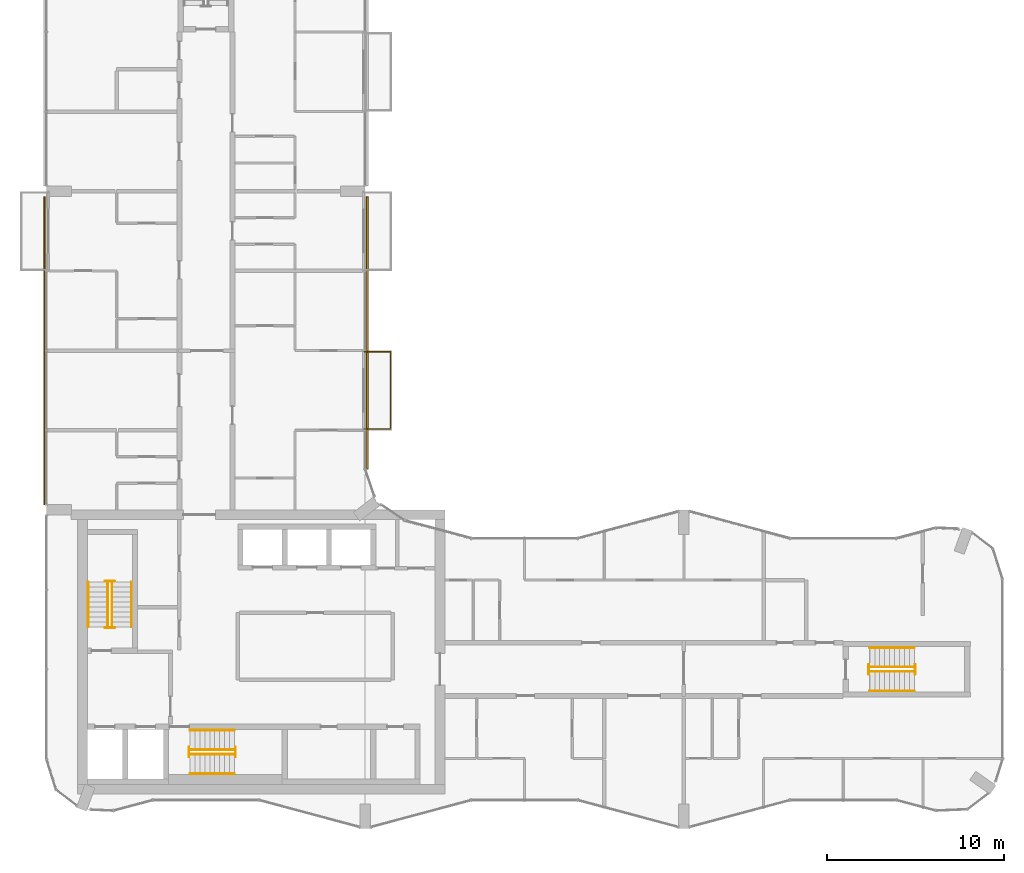
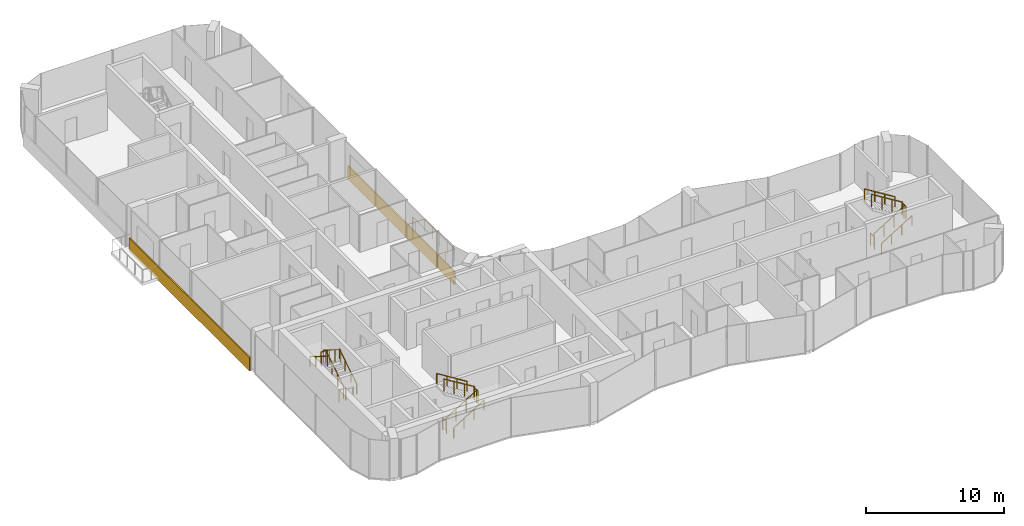
# One storey, part 14 of 15: 19 railings, 2 coverings.
"""IFC4 building model written with IfcOpenShell, lengths in metres."""

from ifc_helpers import new_model, si_unit, direction, frame, origin, origin_2d, place, context, subcontext, project, spatial, rectangle, circle, extrude, material, layer, layer_set, type_object, element, save


model = new_model("IFC4")

# Units and contexts
model_context = context("Model", 3, precision=1e-05, world=origin(), true_north=direction((0.0, 1.0)))
body_context = subcontext(model_context, "Body", "Model", "MODEL_VIEW")
ifc_project = project(units=[si_unit("LENGTHUNIT", "METRE"), si_unit("AREAUNIT", "SQUARE_METRE"), si_unit("VOLUMEUNIT", "CUBIC_METRE"), si_unit("PLANEANGLEUNIT", "RADIAN"), si_unit("MASSUNIT", "GRAM", prefix="KILO")], contexts=[model_context])

# Site, building, storey
site_placement = place(None, origin())
site = spatial("IfcSite", under=ifc_project, at=site_placement, CompositionType="ELEMENT")
building_placement = place(site_placement, origin())
building = spatial("IfcBuilding", under=site, at=building_placement, Name="Plateau Cross Towers", CompositionType="ELEMENT")
storey_placement = place(building_placement, frame((0.0, 0.0, 204.89990234375)))
storey = spatial("IfcBuildingStorey", under=building, at=storey_placement, Name="L53", CompositionType="ELEMENT", Elevation=204.89990234375)

# Railings
ifc_material_1 = material(Name="Stainless steel and toughened glass", Category="steel")
railing_type_1 = type_object("IfcRailingType", Name="Glass balustrade guard 1100", PredefinedType="GUARDRAIL", material=ifc_material_1)
railing_1_placement = place(storey_placement, frame((17.949951171875, 26.929931640625, 0.0)))
element("IfcRailing", 1, at=railing_1_placement, inside=storey, type_object=railing_type_1, Name="Guard guard1", PredefinedType="GUARDRAIL", context=body_context, shape_type="SweptSolid", body=[
    extrude(circle(Radius=0.02392578125, at=origin_2d()), frame((0.0, 0.0, 1.076171875), z_axis=(1.0, 0.0, 0.0), x_axis=(0.0, 1.0, 0.0)), (0.0, 0.0, 1.0), 1.47998046875),
    extrude(circle(Radius=0.02392578125, at=origin_2d()), frame((1.47998046875, 0.0, 1.076171875), z_axis=(0.0, -1.0, 0.0), x_axis=(1.0, 0.0, 0.0)), (0.0, 0.0, 1.0), 4.35986328125),
    extrude(circle(Radius=0.02392578125, at=origin_2d()), frame((1.47998046875, -4.35986328125, 1.076171875), z_axis=(-1.0, 0.0, 0.0), x_axis=(0.0, -1.0, 0.0)), (0.0, 0.0, 1.0), 1.47998046875),
    extrude(circle(Radius=0.02099609375, at=origin_2d()), origin(), (0.0, 0.0, 1.0), 1.052001953125),
    extrude(circle(Radius=0.02099609375, at=origin_2d()), frame((0.739990234375, 0.0, 0.0)), (0.0, 0.0, 1.0), 1.052001953125),
    extrude(circle(Radius=0.02099609375, at=origin_2d()), frame((1.47998046875, 0.0, 0.0)), (0.0, 0.0, 1.0), 1.052001953125),
    extrude(circle(Radius=0.02099609375, at=origin_2d()), frame((1.47998046875, -1.08984375, 0.0)), (0.0, 0.0, 1.0), 1.052001953125),
    extrude(circle(Radius=0.02099609375, at=origin_2d()), frame((1.47998046875, -2.179931640625, 0.0)), (0.0, 0.0, 1.0), 1.052001953125),
    extrude(circle(Radius=0.02099609375, at=origin_2d()), frame((1.47998046875, -3.27001953125, 0.0)), (0.0, 0.0, 1.0), 1.052001953125),
    extrude(circle(Radius=0.02099609375, at=origin_2d()), frame((1.47998046875, -4.35986328125, 0.0)), (0.0, 0.0, 1.0), 1.052001953125),
    extrude(circle(Radius=0.02099609375, at=origin_2d()), frame((0.739990234375, -4.35986328125, 0.0)), (0.0, 0.0, 1.0), 1.052001953125),
    extrude(circle(Radius=0.02099609375, at=origin_2d()), frame((0.0, -4.35986328125, 0.0)), (0.0, 0.0, 1.0), 1.052001953125),
])
railing_type_2 = type_object("IfcRailingType", Name="RL-GUARD-1100", PredefinedType="GUARDRAIL", material=ifc_material_1)
railing_2_placement = place(storey_placement, frame((3.699951171875, 11.39990234375, 0.175048828125)))
element("IfcRailing", 2, at=railing_2_placement, inside=storey, type_object=railing_type_2, Name="L53 ST-1 stair guard 1", PredefinedType="GUARDRAIL", context=body_context, shape_type="SweptSolid", body=[
    extrude(circle(Radius=0.02392578125, at=origin_2d()), frame((0.0, 0.0, 1.076171875), z_axis=(0.0, 0.848007534815, 0.529984170421), x_axis=(-1.0, 0.0, 0.0)), (0.0, 0.0, 1.0), 2.9716796875),
    extrude(circle(Radius=0.02099609375, at=origin_2d()), origin(), (0.0, 0.0, 1.0), 1.052001953125),
    extrude(circle(Radius=0.02099609375, at=origin_2d()), frame((0.0, 0.840087890625, 0.52490234375)), (0.0, 0.0, 1.0), 1.052001953125),
    extrude(circle(Radius=0.02099609375, at=origin_2d()), frame((0.0, 1.679931640625, 1.050048828125)), (0.0, 0.0, 1.0), 1.052001953125),
    extrude(circle(Radius=0.02099609375, at=origin_2d()), frame((0.0, 2.52001953125, 1.574951171875)), (0.0, 0.0, 1.0), 1.052001953125),
])
railing_3_placement = place(storey_placement, frame((3.85009765625, 13.969970703125, 1.75)))
element("IfcRailing", 3, at=railing_3_placement, inside=storey, type_object=railing_type_2, Name="L53 ST-1 stair guard 2", PredefinedType="GUARDRAIL", context=body_context, shape_type="SweptSolid", body=[
    extrude(circle(Radius=0.02392578125, at=origin_2d()), frame((0.0, 0.0, 1.076171875), z_axis=(-1.0, 0.0, 0.0), x_axis=(0.0, -1.0, 0.0)), (0.0, 0.0, 1.0), 0.550048828125),
    extrude(circle(Radius=0.02099609375, at=origin_2d()), origin(), (0.0, 0.0, 1.0), 1.052001953125),
    extrude(circle(Radius=0.02099609375, at=origin_2d()), frame((-0.550048828125, 0.0, 0.0)), (0.0, 0.0, 1.0), 1.052001953125),
])
railing_4_placement = place(storey_placement, frame((3.449951171875, 13.919921875, 1.925048828125)))
element("IfcRailing", 4, at=railing_4_placement, inside=storey, type_object=railing_type_2, Name="L53 ST-1 stair guard 3", PredefinedType="GUARDRAIL", context=body_context, shape_type="SweptSolid", body=[
    extrude(circle(Radius=0.02392578125, at=origin_2d()), frame((0.0, 0.0, 1.076171875), z_axis=(0.0, -0.852616386126, 0.522537365276), x_axis=(1.0, 0.0, 0.0)), (0.0, 0.0, 1.0), 3.01416015625),
    extrude(circle(Radius=0.02099609375, at=origin_2d()), origin(), (0.0, 0.0, 1.0), 1.052001953125),
    extrude(circle(Radius=0.02099609375, at=origin_2d()), frame((0.0, -0.856689453125, 0.52490234375)), (0.0, 0.0, 1.0), 1.052001953125),
    extrude(circle(Radius=0.02099609375, at=origin_2d()), frame((0.0, -1.713134765625, 1.050048828125)), (0.0, 0.0, 1.0), 1.052001953125),
    extrude(circle(Radius=0.02099609375, at=origin_2d()), frame((0.0, -2.56982421875, 1.574951171875)), (0.0, 0.0, 1.0), 1.052001953125),
])
railing_5_placement = place(storey_placement, frame((3.85009765625, 11.35009765625, 0.0)))
element("IfcRailing", 5, at=railing_5_placement, inside=storey, type_object=railing_type_2, Name="L53 ST-1 stair guard 4", PredefinedType="GUARDRAIL", context=body_context, shape_type="SweptSolid", body=[
    extrude(circle(Radius=0.02392578125, at=origin_2d()), frame((0.0, 0.0, 1.076171875), z_axis=(-1.0, 0.0, 0.0), x_axis=(0.0, -1.0, 0.0)), (0.0, 0.0, 1.0), 0.550048828125),
    extrude(circle(Radius=0.02099609375, at=origin_2d()), origin(), (0.0, 0.0, 1.0), 1.052001953125),
    extrude(circle(Radius=0.02099609375, at=origin_2d()), frame((-0.550048828125, 0.0, 0.0)), (0.0, 0.0, 1.0), 1.052001953125),
])
railing_6_placement = place(storey_placement, frame((8.10009765625, 4.199951171875, 0.175048828125)))
element("IfcRailing", 6, at=railing_6_placement, inside=storey, type_object=railing_type_2, Name="L53 ST-2 stair guard 1", PredefinedType="GUARDRAIL", context=body_context, shape_type="SweptSolid", body=[
    extrude(circle(Radius=0.02392578125, at=origin_2d()), frame((0.0, 0.0, 1.076171875), z_axis=(0.848007534815, 0.0, 0.529984170421), x_axis=(0.0, 1.0, 0.0)), (0.0, 0.0, 1.0), 2.9716796875),
    extrude(circle(Radius=0.02099609375, at=origin_2d()), origin(), (0.0, 0.0, 1.0), 1.052001953125),
    extrude(circle(Radius=0.02099609375, at=origin_2d()), frame((0.840087890625, 0.0, 0.52490234375)), (0.0, 0.0, 1.0), 1.052001953125),
    extrude(circle(Radius=0.02099609375, at=origin_2d()), frame((1.679931640625, 0.0, 1.050048828125)), (0.0, 0.0, 1.0), 1.052001953125),
    extrude(circle(Radius=0.02099609375, at=origin_2d()), frame((2.52001953125, 0.0, 1.574951171875)), (0.0, 0.0, 1.0), 1.052001953125),
])
railing_7_placement = place(storey_placement, frame((10.669921875, 4.050048828125, 1.75)))
element("IfcRailing", 7, at=railing_7_placement, inside=storey, type_object=railing_type_2, Name="L53 ST-2 stair guard 2", PredefinedType="GUARDRAIL", context=body_context, shape_type="SweptSolid", body=[
    extrude(circle(Radius=0.02392578125, at=origin_2d()), frame((0.0, 0.0, 1.076171875), z_axis=(0.0, 1.0, 0.0), x_axis=(-1.0, 0.0, 0.0)), (0.0, 0.0, 1.0), 0.550048828125),
    extrude(circle(Radius=0.02099609375, at=origin_2d()), origin(), (0.0, 0.0, 1.0), 1.052001953125),
    extrude(circle(Radius=0.02099609375, at=origin_2d()), frame((0.0, 0.550048828125, 0.0)), (0.0, 0.0, 1.0), 1.052001953125),
])
railing_8_placement = place(storey_placement, frame((10.6201171875, 4.449951171875, 1.925048828125)))
element("IfcRailing", 8, at=railing_8_placement, inside=storey, type_object=railing_type_2, Name="L53 ST-2 stair guard 3", PredefinedType="GUARDRAIL", context=body_context, shape_type="SweptSolid", body=[
    extrude(circle(Radius=0.02392578125, at=origin_2d()), frame((0.0, 0.0, 1.076171875), z_axis=(-0.852638500773, 0.0, 0.522501279423), x_axis=(0.0, -1.0, 0.0)), (0.0, 0.0, 1.0), 3.01416015625),
    extrude(circle(Radius=0.02099609375, at=origin_2d()), origin(), (0.0, 0.0, 1.0), 1.052001953125),
    extrude(circle(Radius=0.02099609375, at=origin_2d()), frame((-0.856689453125, 0.0, 0.52490234375)), (0.0, 0.0, 1.0), 1.052001953125),
    extrude(circle(Radius=0.02099609375, at=origin_2d()), frame((-1.71337890625, 0.0, 1.050048828125)), (0.0, 0.0, 1.0), 1.052001953125),
    extrude(circle(Radius=0.02099609375, at=origin_2d()), frame((-2.570068359375, 0.0, 1.574951171875)), (0.0, 0.0, 1.0), 1.052001953125),
])
railing_9_placement = place(storey_placement, frame((8.050048828125, 4.050048828125, 0.0)))
element("IfcRailing", 9, at=railing_9_placement, inside=storey, type_object=railing_type_2, Name="L53 ST-2 stair guard 4", PredefinedType="GUARDRAIL", context=body_context, shape_type="SweptSolid", body=[
    extrude(circle(Radius=0.02392578125, at=origin_2d()), frame((0.0, 0.0, 1.076171875), z_axis=(0.0, 1.0, 0.0), x_axis=(-1.0, 0.0, 0.0)), (0.0, 0.0, 1.0), 0.550048828125),
    extrude(circle(Radius=0.02099609375, at=origin_2d()), origin(), (0.0, 0.0, 1.0), 1.052001953125),
    extrude(circle(Radius=0.02099609375, at=origin_2d()), frame((0.0, 0.550048828125, 0.0)), (0.0, 0.0, 1.0), 1.052001953125),
])
railing_10_placement = place(storey_placement, frame((46.5, 8.875, 0.175048828125)))
element("IfcRailing", 10, at=railing_10_placement, inside=storey, type_object=railing_type_2, Name="L53 ES-E stair guard 1", PredefinedType="GUARDRAIL", context=body_context, shape_type="SweptSolid", body=[
    extrude(circle(Radius=0.02392578125, at=origin_2d()), frame((0.0, 0.0, 1.076171875), z_axis=(0.848007534815, 0.0, 0.529984170421), x_axis=(0.0, 1.0, 0.0)), (0.0, 0.0, 1.0), 2.9716796875),
    extrude(circle(Radius=0.02099609375, at=origin_2d()), origin(), (0.0, 0.0, 1.0), 1.052001953125),
    extrude(circle(Radius=0.02099609375, at=origin_2d()), frame((0.840087890625, 0.0, 0.52490234375)), (0.0, 0.0, 1.0), 1.052001953125),
    extrude(circle(Radius=0.02099609375, at=origin_2d()), frame((1.679931640625, 0.0, 1.050048828125)), (0.0, 0.0, 1.0), 1.052001953125),
    extrude(circle(Radius=0.02099609375, at=origin_2d()), frame((2.52001953125, 0.0, 1.574951171875)), (0.0, 0.0, 1.0), 1.052001953125),
])
railing_11_placement = place(storey_placement, frame((49.070068359375, 8.72509765625, 1.75)))
element("IfcRailing", 11, at=railing_11_placement, inside=storey, type_object=railing_type_2, Name="L53 ES-E stair guard 2", PredefinedType="GUARDRAIL", context=body_context, shape_type="SweptSolid", body=[
    extrude(circle(Radius=0.02392578125, at=origin_2d()), frame((0.0, 0.0, 1.076171875), z_axis=(0.0, 1.0, 0.0), x_axis=(-1.0, 0.0, 0.0)), (0.0, 0.0, 1.0), 0.5498046875),
    extrude(circle(Radius=0.02099609375, at=origin_2d()), origin(), (0.0, 0.0, 1.0), 1.052001953125),
    extrude(circle(Radius=0.02099609375, at=origin_2d()), frame((0.0, 0.5498046875, 0.0)), (0.0, 0.0, 1.0), 1.052001953125),
])
railing_12_placement = place(storey_placement, frame((49.02001953125, 9.125, 1.925048828125)))
element("IfcRailing", 12, at=railing_12_placement, inside=storey, type_object=railing_type_2, Name="L53 ES-E stair guard 3", PredefinedType="GUARDRAIL", context=body_context, shape_type="SweptSolid", body=[
    extrude(circle(Radius=0.02392578125, at=origin_2d()), frame((0.0, 0.0, 1.076171875), z_axis=(-0.852638500773, 0.0, 0.522501279423), x_axis=(0.0, -1.0, 0.0)), (0.0, 0.0, 1.0), 3.01416015625),
    extrude(circle(Radius=0.02099609375, at=origin_2d()), origin(), (0.0, 0.0, 1.0), 1.052001953125),
    extrude(circle(Radius=0.02099609375, at=origin_2d()), frame((-0.856689453125, 0.0, 0.52490234375)), (0.0, 0.0, 1.0), 1.052001953125),
    extrude(circle(Radius=0.02099609375, at=origin_2d()), frame((-1.71337890625, 0.0, 1.050048828125)), (0.0, 0.0, 1.0), 1.052001953125),
    extrude(circle(Radius=0.02099609375, at=origin_2d()), frame((-2.570068359375, 0.0, 1.574951171875)), (0.0, 0.0, 1.0), 1.052001953125),
])
railing_13_placement = place(storey_placement, frame((46.449951171875, 8.72509765625, 0.0)))
element("IfcRailing", 13, at=railing_13_placement, inside=storey, type_object=railing_type_2, Name="L53 ES-E stair guard 4", PredefinedType="GUARDRAIL", context=body_context, shape_type="SweptSolid", body=[
    extrude(circle(Radius=0.02392578125, at=origin_2d()), frame((0.0, 0.0, 1.076171875), z_axis=(0.0, 1.0, 0.0), x_axis=(-1.0, 0.0, 0.0)), (0.0, 0.0, 1.0), 0.5498046875),
    extrude(circle(Radius=0.02099609375, at=origin_2d()), origin(), (0.0, 0.0, 1.0), 1.052001953125),
    extrude(circle(Radius=0.02099609375, at=origin_2d()), frame((0.0, 0.5498046875, 0.0)), (0.0, 0.0, 1.0), 1.052001953125),
])
ifc_material_2 = material(Name="Black anodised aluminium", Category="aluminium")
railing_type_3 = type_object("IfcRailingType", Name="RL-HANDRAIL-900", PredefinedType="HANDRAIL", material=ifc_material_2)
railing_14_placement = place(storey_placement, frame((4.800048828125, 11.39990234375, 0.175048828125)))
element("IfcRailing", 14, at=railing_14_placement, inside=storey, type_object=railing_type_3, Name="L53 ST-1 stair handrail 1", PredefinedType="HANDRAIL", context=body_context, shape_type="SweptSolid", body=[
    extrude(circle(Radius=0.02392578125, at=origin_2d()), frame((0.0, 0.0, 0.8759765625), z_axis=(0.0, 0.848007534815, 0.529984170421), x_axis=(-1.0, 0.0, 0.0)), (0.0, 0.0, 1.0), 2.9716796875),
    extrude(circle(Radius=0.02099609375, at=origin_2d()), origin(), (0.0, 0.0, 1.0), 0.851806640625),
    extrude(circle(Radius=0.02099609375, at=origin_2d()), frame((0.0, 0.840087890625, 0.52490234375)), (0.0, 0.0, 1.0), 0.851806640625),
    extrude(circle(Radius=0.02099609375, at=origin_2d()), frame((0.0, 1.679931640625, 1.050048828125)), (0.0, 0.0, 1.0), 0.851806640625),
    extrude(circle(Radius=0.02099609375, at=origin_2d()), frame((0.0, 2.52001953125, 1.574951171875)), (0.0, 0.0, 1.0), 0.851806640625),
])
railing_15_placement = place(storey_placement, frame((2.35009765625, 13.919921875, 1.925048828125)))
element("IfcRailing", 15, at=railing_15_placement, inside=storey, type_object=railing_type_3, Name="L53 ST-1 stair handrail 2", PredefinedType="HANDRAIL", context=body_context, shape_type="SweptSolid", body=[
    extrude(circle(Radius=0.02392578125, at=origin_2d()), frame((0.0, 0.0, 0.8759765625), z_axis=(0.0, -0.848007534815, 0.529984170421), x_axis=(1.0, 0.0, 0.0)), (0.0, 0.0, 1.0), 2.9716796875),
    extrude(circle(Radius=0.02099609375, at=origin_2d()), origin(), (0.0, 0.0, 1.0), 0.851806640625),
    extrude(circle(Radius=0.02099609375, at=origin_2d()), frame((0.0, -0.840087890625, 0.52490234375)), (0.0, 0.0, 1.0), 0.851806640625),
    extrude(circle(Radius=0.02099609375, at=origin_2d()), frame((0.0, -1.679931640625, 1.050048828125)), (0.0, 0.0, 1.0), 0.851806640625),
    extrude(circle(Radius=0.02099609375, at=origin_2d()), frame((0.0, -2.52001953125, 1.574951171875)), (0.0, 0.0, 1.0), 0.851806640625),
])
railing_16_placement = place(storey_placement, frame((8.10009765625, 3.10009765625, 0.175048828125)))
element("IfcRailing", 16, at=railing_16_placement, inside=storey, type_object=railing_type_3, Name="L53 ST-2 stair handrail 1", PredefinedType="HANDRAIL", context=body_context, shape_type="SweptSolid", body=[
    extrude(circle(Radius=0.02392578125, at=origin_2d()), frame((0.0, 0.0, 0.8759765625), z_axis=(0.848007534815, 0.0, 0.529984170421), x_axis=(0.0, 1.0, 0.0)), (0.0, 0.0, 1.0), 2.9716796875),
    extrude(circle(Radius=0.02099609375, at=origin_2d()), origin(), (0.0, 0.0, 1.0), 0.851806640625),
    extrude(circle(Radius=0.02099609375, at=origin_2d()), frame((0.840087890625, 0.0, 0.52490234375)), (0.0, 0.0, 1.0), 0.851806640625),
    extrude(circle(Radius=0.02099609375, at=origin_2d()), frame((1.679931640625, 0.0, 1.050048828125)), (0.0, 0.0, 1.0), 0.851806640625),
    extrude(circle(Radius=0.02099609375, at=origin_2d()), frame((2.52001953125, 0.0, 1.574951171875)), (0.0, 0.0, 1.0), 0.851806640625),
])
railing_17_placement = place(storey_placement, frame((10.6201171875, 5.550048828125, 1.925048828125)))
element("IfcRailing", 17, at=railing_17_placement, inside=storey, type_object=railing_type_3, Name="L53 ST-2 stair handrail 2", PredefinedType="HANDRAIL", context=body_context, shape_type="SweptSolid", body=[
    extrude(circle(Radius=0.02392578125, at=origin_2d()), frame((0.0, 0.0, 0.8759765625), z_axis=(-0.848007534815, 0.0, 0.529984170421), x_axis=(0.0, -1.0, 0.0)), (0.0, 0.0, 1.0), 2.9716796875),
    extrude(circle(Radius=0.02099609375, at=origin_2d()), origin(), (0.0, 0.0, 1.0), 0.851806640625),
    extrude(circle(Radius=0.02099609375, at=origin_2d()), frame((-0.840087890625, 0.0, 0.52490234375)), (0.0, 0.0, 1.0), 0.851806640625),
    extrude(circle(Radius=0.02099609375, at=origin_2d()), frame((-1.679931640625, 0.0, 1.050048828125)), (0.0, 0.0, 1.0), 0.851806640625),
    extrude(circle(Radius=0.02099609375, at=origin_2d()), frame((-2.52001953125, 0.0, 1.574951171875)), (0.0, 0.0, 1.0), 0.851806640625),
])
railing_18_placement = place(storey_placement, frame((46.5, 7.77490234375, 0.175048828125)))
element("IfcRailing", 18, at=railing_18_placement, inside=storey, type_object=railing_type_3, Name="L53 ES-E stair handrail 1", PredefinedType="HANDRAIL", context=body_context, shape_type="SweptSolid", body=[
    extrude(circle(Radius=0.02392578125, at=origin_2d()), frame((0.0, 0.0, 0.8759765625), z_axis=(0.848007534815, 0.0, 0.529984170421), x_axis=(0.0, 1.0, 0.0)), (0.0, 0.0, 1.0), 2.9716796875),
    extrude(circle(Radius=0.02099609375, at=origin_2d()), origin(), (0.0, 0.0, 1.0), 0.851806640625),
    extrude(circle(Radius=0.02099609375, at=origin_2d()), frame((0.840087890625, 0.0, 0.52490234375)), (0.0, 0.0, 1.0), 0.851806640625),
    extrude(circle(Radius=0.02099609375, at=origin_2d()), frame((1.679931640625, 0.0, 1.050048828125)), (0.0, 0.0, 1.0), 0.851806640625),
    extrude(circle(Radius=0.02099609375, at=origin_2d()), frame((2.52001953125, 0.0, 1.574951171875)), (0.0, 0.0, 1.0), 0.851806640625),
])
railing_19_placement = place(storey_placement, frame((49.02001953125, 10.22509765625, 1.925048828125)))
element("IfcRailing", 19, at=railing_19_placement, inside=storey, type_object=railing_type_3, Name="L53 ES-E stair handrail 2", PredefinedType="HANDRAIL", context=body_context, shape_type="SweptSolid", body=[
    extrude(circle(Radius=0.02392578125, at=origin_2d()), frame((0.0, 0.0, 0.8759765625), z_axis=(-0.848007534815, 0.0, 0.529984170421), x_axis=(0.0, -1.0, 0.0)), (0.0, 0.0, 1.0), 2.9716796875),
    extrude(circle(Radius=0.02099609375, at=origin_2d()), origin(), (0.0, 0.0, 1.0), 0.851806640625),
    extrude(circle(Radius=0.02099609375, at=origin_2d()), frame((-0.840087890625, 0.0, 0.52490234375)), (0.0, 0.0, 1.0), 0.851806640625),
    extrude(circle(Radius=0.02099609375, at=origin_2d()), frame((-1.679931640625, 0.0, 1.050048828125)), (0.0, 0.0, 1.0), 0.851806640625),
    extrude(circle(Radius=0.02099609375, at=origin_2d()), frame((-2.52001953125, 0.0, 1.574951171875)), (0.0, 0.0, 1.0), 0.851806640625),
])

# Coverings
ifc_material_3 = material(Name="Precast concrete cladding C40/50", Category="concrete")
ifc_layer = layer(ifc_material_3, 0.10009765625)
ifc_layer_set = layer_set([ifc_layer], Name="Precast concrete cladding C40/50")
covering_type = type_object("IfcCoveringType", Name="Spandrel band cladding 100x1200", PredefinedType="CLADDING", material=ifc_layer_set)
covering_1_placement = place(storey_placement, frame((18.1201171875, 28.001220703125, -0.25), z_axis=(0.0, 0.0, 1.0), x_axis=(0.0, 1.0, 0.0)))
element("IfcCovering", 20, at=covering_1_placement, inside=storey, type_object=covering_type, Name="Spandrel band", PredefinedType="CLADDING", context=body_context, shape_type="SweptSolid", body=[
    extrude(rectangle(XDim=15.397705078125, YDim=0.10009765625, at=origin_2d()), origin(), (0.0, 0.0, 1.0), 1.199951171875),
])
covering_2_placement = place(storey_placement, frame((-0.1201171875, 27.0, -0.25), z_axis=(0.0, 0.0, 1.0), x_axis=(0.0, -1.0, 0.0)))
element("IfcCovering", 21, at=covering_2_placement, inside=storey, type_object=covering_type, Name="Spandrel band", PredefinedType="CLADDING", context=body_context, shape_type="SweptSolid", body=[
    extrude(rectangle(XDim=17.39990234375, YDim=0.10009765625, at=origin_2d()), origin(), (0.0, 0.0, 1.0), 1.199951171875),
])

save(model, "model.ifc")
